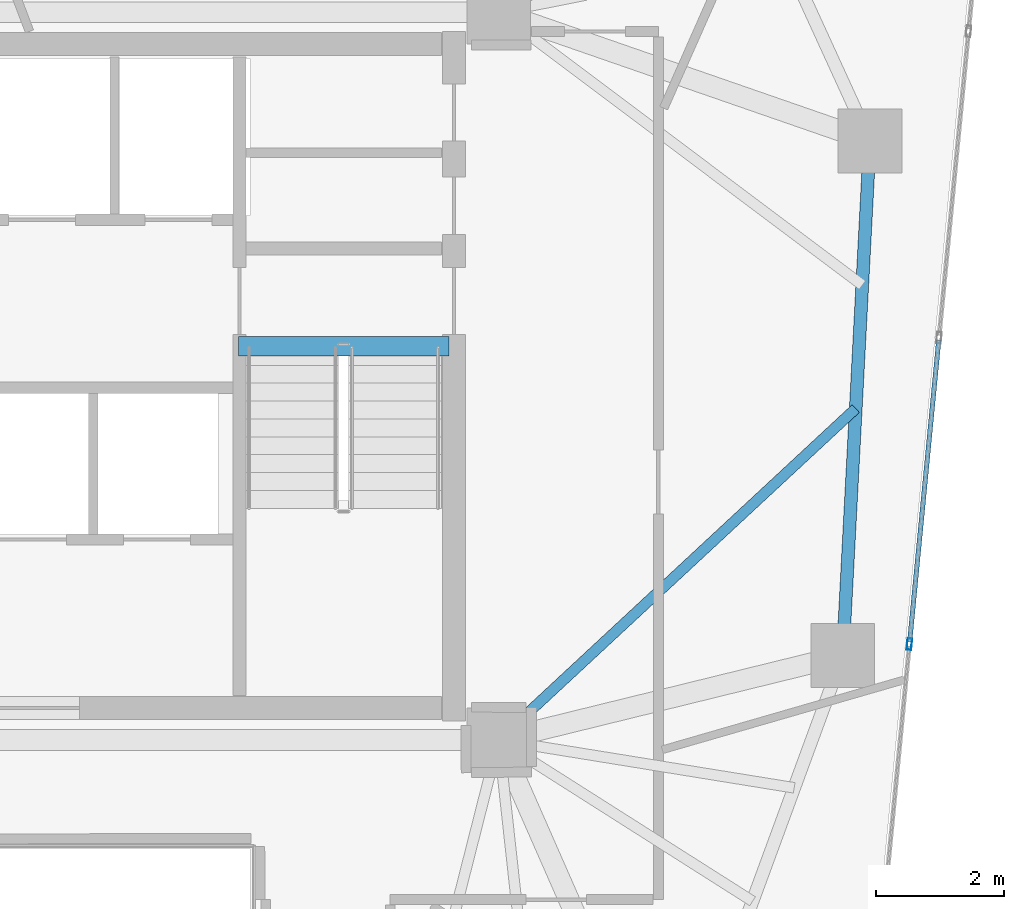
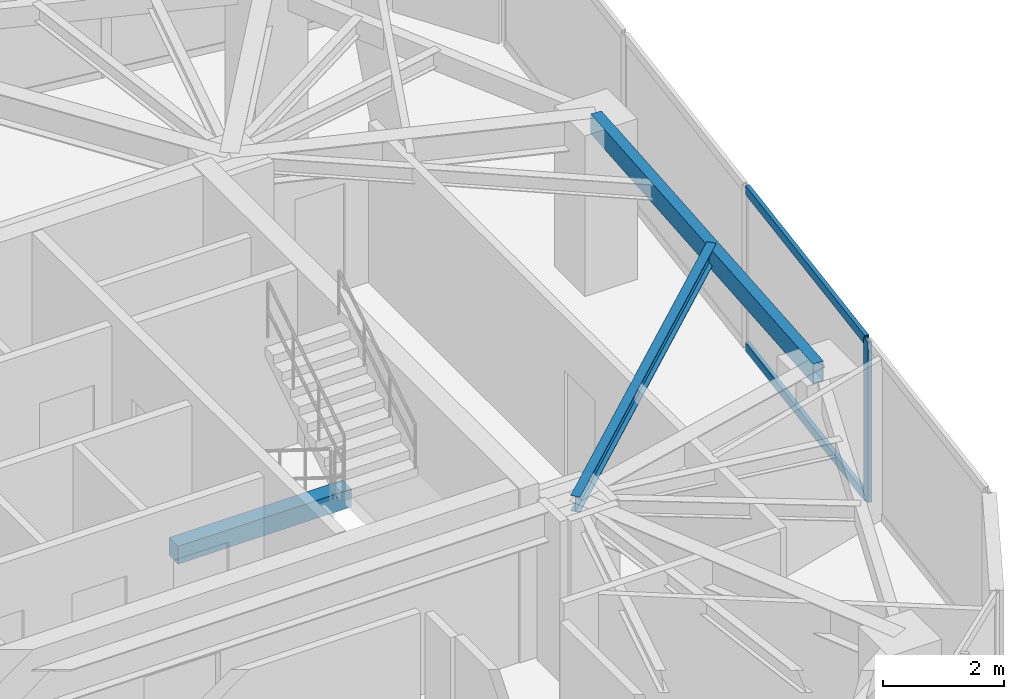
# One storey, part 10 of 21: 3 beams, 3 members, 1 element without a shape of its own.
"""IFC4 building model written with IfcOpenShell, lengths in metres."""

import ifcopenshell
import ifcopenshell.guid

model = None  # the IFC model being written
_history = None  # IfcOwnerHistory: only IFC2X3 demands one
_inside = {}  # id of a spatial element -> (the spatial element, [elements in it])
_under = {}  # id of a project, library or spatial element -> (it, [spatial elements below it])
_declared = {}  # id of a project -> (the project, [libraries it declares])
_typed = {}  # id of a type object -> (the type object, [elements of that type])
_made_of = {}  # id of a material, layer set ... -> (it, [elements and type objects made of it])


def new_model(schema):
    """Start an empty IFC model of exactly this schema.

    Asked for "IFC4X3", IfcOpenShell would pick the latest addendum, in which some entities
    have other attributes; the version numbers below select the first issue.
    IFC2X3 requires an IfcOwnerHistory on every rooted entity: one is made here for all.
    """
    global model, _history
    if schema == "IFC4X3":
        model = ifcopenshell.file(schema_version=(4, 3, 0, 0))
    else:
        model = ifcopenshell.file(schema=schema)
    _inside.clear()
    _under.clear()
    _declared.clear()
    _typed.clear()
    _made_of.clear()
    _history = None
    if model.schema == "IFC2X3":
        org = make("IfcOrganization", Name="unknown")
        user = make(
            "IfcPersonAndOrganization",
            ThePerson=make("IfcPerson", FamilyName="unknown"),
            TheOrganization=org,
        )
        app = make(
            "IfcApplication",
            ApplicationDeveloper=org,
            Version="unknown",
            ApplicationFullName="unknown",
            ApplicationIdentifier="unknown",
        )
        _history = make(
            "IfcOwnerHistory",
            OwningUser=user,
            OwningApplication=app,
            ChangeAction="ADDED",
            CreationDate=0,
        )
    return model


def make(cls, **values):
    """One entity of the class cls with the attributes given. An attribute that is None is left unset."""
    return model.create_entity(
        cls, **{name: value for name, value in values.items() if value is not None}
    )


def rooted(cls, **values):
    """An entity with a GlobalId (a new one), such as an element, a storey or a relation."""
    return make(cls, GlobalId=ifcopenshell.guid.new(), OwnerHistory=_history, **values)


def si_unit(unit_type, name, prefix=None):
    """IfcSIUnit, for example si_unit("LENGTHUNIT", "METRE", prefix="MILLI")."""
    return make("IfcSIUnit", UnitType=unit_type, Prefix=prefix, Name=name)


def assignment(units):
    """IfcUnitAssignment: the units of a project."""
    return None if units is None else make("IfcUnitAssignment", Units=units)


def point(xyz):
    """IfcCartesianPoint."""
    return None if xyz is None else make("IfcCartesianPoint", Coordinates=xyz)


def direction(xyz):
    """IfcDirection."""
    return None if xyz is None else make("IfcDirection", DirectionRatios=xyz)


def frame(location, z_axis=None, x_axis=None):
    """IfcAxis2Placement3D, a coordinate frame: its origin and axes. An axis left out is left unset."""
    return make(
        "IfcAxis2Placement3D",
        Location=point(location),
        Axis=direction(z_axis),
        RefDirection=direction(x_axis),
    )


def frame_2d(location, x_axis=None):
    """IfcAxis2Placement2D, a coordinate frame in the plane: its origin and x axis."""
    return make(
        "IfcAxis2Placement2D", Location=point(location), RefDirection=direction(x_axis)
    )


def origin():
    """The frame at (0, 0, 0) with its axes left unset."""
    return frame((0.0, 0.0, 0.0))


def origin_2d():
    """The frame at (0, 0) in the plane with its x axis left unset."""
    return frame_2d((0.0, 0.0))


def place(relative_to, where):
    """IfcLocalPlacement: puts the frame where relative to a parent placement (None: the world)."""
    return make(
        "IfcLocalPlacement", PlacementRelTo=relative_to, RelativePlacement=where
    )


def context(
    kind, dimensions, precision=None, world=None, true_north=None, identifier=None
):
    """IfcGeometricRepresentationContext, for example the 3D "Model" context."""
    return make(
        "IfcGeometricRepresentationContext",
        ContextIdentifier=identifier,
        ContextType=kind,
        CoordinateSpaceDimension=dimensions,
        Precision=precision,
        WorldCoordinateSystem=world,
        TrueNorth=true_north,
    )


def subcontext(parent, identifier, kind, view, scale=None):
    """IfcGeometricRepresentationSubContext, for example "Body" below "Model"."""
    return make(
        "IfcGeometricRepresentationSubContext",
        ContextIdentifier=identifier,
        ContextType=kind,
        ParentContext=parent,
        TargetScale=scale,
        TargetView=view,
    )


def project(units=None, contexts=None):
    """IfcProject with its units and contexts."""
    return rooted(
        "IfcProject",
        Name="project",
        RepresentationContexts=contexts,
        UnitsInContext=assignment(units),
    )


def spatial(cls, under=None, at=None, **own):
    """A site, building, storey or space (cls), placed at a placement, below another one or the project."""
    s = rooted(cls, ObjectPlacement=at, **own)
    if under is not None:
        _under.setdefault(under.id(), (under, []))[1].append(s)
    return s


def profile(cls, at=None, kind="AREA", **sizes):
    """A parametric profile (cls). Its sizes go by their IFC names, for example OverallWidth=200.0."""
    return make(cls, ProfileType=kind, Position=at, **sizes)


def rectangle(**sizes):
    """IfcRectangleProfileDef."""
    return profile("IfcRectangleProfileDef", **sizes)


def hollow_rectangle(**sizes):
    """IfcRectangleHollowProfileDef."""
    return profile("IfcRectangleHollowProfileDef", **sizes)


def i_section(**sizes):
    """IfcIShapeProfileDef."""
    return profile("IfcIShapeProfileDef", **sizes)


def extrude(swept, where, along, depth):
    """IfcExtrudedAreaSolid: the profile swept, set in the frame where, extruded along a direction by depth."""
    return make(
        "IfcExtrudedAreaSolid",
        SweptArea=swept,
        Position=where,
        ExtrudedDirection=direction(along),
        Depth=depth,
    )


def shape(context_of_items, identifier, shape_type, items):
    """IfcShapeRepresentation: the items that make up one representation, for example the "Body"."""
    return make(
        "IfcShapeRepresentation",
        ContextOfItems=context_of_items,
        RepresentationIdentifier=identifier,
        RepresentationType=shape_type,
        Items=items,
    )


def source(mapping_origin, context_of_items, identifier, shape_type, items):
    """IfcRepresentationMap: a shape defined once, which mapped items show again and again."""
    return make(
        "IfcRepresentationMap",
        MappingOrigin=mapping_origin,
        MappedRepresentation=shape(context_of_items, identifier, shape_type, items),
    )


def transform(
    local_origin,
    x_axis=None,
    y_axis=None,
    z_axis=None,
    scale=None,
    scale2=None,
    scale3=None,
    uniform=True,
):
    """IfcCartesianTransformationOperator3D, or its non-uniform kind. x_axis, y_axis, z_axis: its Axis1, 2, 3."""
    if uniform:
        return make(
            "IfcCartesianTransformationOperator3D",
            Axis1=direction(x_axis),
            Axis2=direction(y_axis),
            LocalOrigin=point(local_origin),
            Scale=scale,
            Axis3=direction(z_axis),
        )
    return make(
        "IfcCartesianTransformationOperator3DnonUniform",
        Axis1=direction(x_axis),
        Axis2=direction(y_axis),
        LocalOrigin=point(local_origin),
        Scale=scale,
        Axis3=direction(z_axis),
        Scale2=scale2,
        Scale3=scale3,
    )


def mapped(mapping_source, mapping_target):
    """IfcMappedItem: shows the shape of a source again, moved by a transform."""
    return make(
        "IfcMappedItem", MappingSource=mapping_source, MappingTarget=mapping_target
    )


def material(Name=None, Category=None):
    """IfcMaterial."""
    return make("IfcMaterial", Name=Name, Category=Category)


def layer(
    of_material, thickness, ventilated=None, Name=None, Category=None, Priority=None
):
    """IfcMaterialLayer: one layer of a wall or slab, of a material (None: an air gap)."""
    return make(
        "IfcMaterialLayer",
        Material=of_material,
        LayerThickness=thickness,
        IsVentilated=ventilated,
        Name=Name,
        Category=Category,
        Priority=Priority,
    )


def layer_set(layers, Name=None):
    """IfcMaterialLayerSet."""
    return make("IfcMaterialLayerSet", MaterialLayers=layers, LayerSetName=Name)


def material_profile(
    of_material, cross_section, Name=None, Category=None, Priority=None
):
    """IfcMaterialProfile: a cross section and its material."""
    return make(
        "IfcMaterialProfile",
        Name=Name,
        Material=of_material,
        Profile=cross_section,
        Priority=Priority,
        Category=Category,
    )


def profile_set(profiles, Name=None, composite=None):
    """IfcMaterialProfileSet."""
    return make(
        "IfcMaterialProfileSet",
        Name=Name,
        MaterialProfiles=profiles,
        CompositeProfile=composite,
    )


def made_of(thing, what):
    """Note that an element or type object is made of a material, layer set ...; save() writes the relation."""
    if what is not None:
        _made_of.setdefault(what.id(), (what, []))[1].append(thing)
    return thing


def type_object(cls, material=None, **own):
    """A type object (cls), such as IfcWallType, which elements share."""
    return made_of(rooted(cls, **own), material)


def type_shapes(of_type, sources):
    """Give a type object the sources (RepresentationMaps) that its elements show as mapped items."""
    of_type.RepresentationMaps = sources


def element(
    cls,
    number,
    at=None,
    inside=None,
    cuts=None,
    type_object=None,
    material=None,
    context=None,
    identifier="Body",
    shape_type=None,
    held_by="IfcProductDefinitionShape",
    body=None,
    shapes=None,
    **own,
):
    """One element of the class cls, such as IfcWall. Its Tag is "e" and its number.

    at: its placement. inside: the storey or other place that contains it. cuts: it is an
    opening in that element (IfcRelVoidsElement). A single representation is given by context,
    identifier, shape_type and body (its items); several are given by shapes. held_by: the class
    of the entity that holds the representations. save() writes the other relations.
    """
    e = rooted(cls, Tag="e%d" % number, ObjectPlacement=at, **own)
    if body is not None:
        shapes = [shape(context, identifier, shape_type, body)]
    if shapes is not None:
        e.Representation = make(held_by, Representations=shapes)
    if inside is not None:
        _inside.setdefault(inside.id(), (inside, []))[1].append(e)
    if cuts is not None:
        rooted(
            "IfcRelVoidsElement", RelatingBuildingElement=cuts, RelatedOpeningElement=e
        )
    if type_object is not None:
        _typed.setdefault(type_object.id(), (type_object, []))[1].append(e)
    return made_of(e, material)


def aggregate(whole, parts):
    """IfcRelAggregates: a whole, such as a stair, and the parts it consists of."""
    return rooted("IfcRelAggregates", RelatingObject=whole, RelatedObjects=parts)


def save(model, path):
    """Write the relations noted so far, then the file.

    IfcRelAggregates (storeys below a building ...), IfcRelContainedInSpatialStructure (elements
    in a storey), IfcRelDefinesByType, IfcRelAssociatesMaterial and IfcRelDeclares: one each for
    every whole, place, type object, material and project.
    """
    for whole, parts in _under.values():
        aggregate(whole, parts)
    for where, things in _inside.values():
        rooted(
            "IfcRelContainedInSpatialStructure",
            RelatedElements=things,
            RelatingStructure=where,
        )
    for kind, things in _typed.values():
        rooted("IfcRelDefinesByType", RelatedObjects=things, RelatingType=kind)
    for what, things in _made_of.values():
        rooted("IfcRelAssociatesMaterial", RelatedObjects=things, RelatingMaterial=what)
    for by, libraries in _declared.values():
        rooted("IfcRelDeclares", RelatingContext=by, RelatedDefinitions=libraries)
    model.write(path)


model = new_model("IFC4")

# Units and contexts
model_context = context("Model", 3, precision=1e-05, world=origin(), true_north=direction((0.0, 1.0)))
body_context = subcontext(model_context, "Body", "Model", "MODEL_VIEW")
ifc_project = project(units=[si_unit("LENGTHUNIT", "METRE"), si_unit("AREAUNIT", "SQUARE_METRE"), si_unit("VOLUMEUNIT", "CUBIC_METRE"), si_unit("PLANEANGLEUNIT", "RADIAN"), si_unit("MASSUNIT", "GRAM", prefix="KILO")], contexts=[model_context])

# Site, building, storey
site_placement = place(None, origin())
site = spatial("IfcSite", under=ifc_project, at=site_placement, CompositionType="ELEMENT")
building_placement = place(site_placement, origin())
building = spatial("IfcBuilding", under=site, at=building_placement, Name="Talar Marvaseh", CompositionType="ELEMENT")
storey_placement = place(building_placement, frame((0.0, 0.0, 225.699951171875)))
storey = spatial("IfcBuildingStorey", under=building, at=storey_placement, Name="L59", CompositionType="ELEMENT", Elevation=225.699951171875)

# Beams
ifc_material_1 = material(Name="Concrete C40/50", Category="concrete")
ifc_material_profile_1 = material_profile(ifc_material_1, rectangle(XDim=0.300048828125, YDim=0.360107421875, at=origin_2d()), Name="RC300x360")
ifc_profile_set_1 = profile_set([ifc_material_profile_1], Name="Concrete C40/50")
beam_type_1 = type_object("IfcBeamType", Name="Concrete Stair Landing Trimmer Beam RC300x360", PredefinedType="SPANDREL", material=ifc_profile_set_1)
beam_1_placement = place(storey_placement, frame((29.219970703125, 31.669921875, -0.179931640625), z_axis=(1.0, 0.0, 0.0), x_axis=(0.0, 1.0, 0.0)))
element("IfcBeam", 1, at=beam_1_placement, inside=storey, type_object=beam_type_1, Name="L59 ST-2 Stair Nosing Trimmer Beam", PredefinedType="SPANDREL", context=body_context, shape_type="SweptSolid", body=[
    extrude(rectangle(XDim=0.300048828125, YDim=0.360107421875, at=origin_2d()), origin(), (0.0, 0.0, 1.0), 3.300048828125),
])
ifc_material_2 = material(Name="Steel S355", Category="steel")
ifc_material_profile_2 = material_profile(ifc_material_2, hollow_rectangle(XDim=0.199951171875, YDim=0.39990234375, WallThickness=0.013916015625, at=origin_2d()), Name="RHS400x200x14")
ifc_profile_set_2 = profile_set([ifc_material_profile_2], Name="Steel S355")
beam_type_2 = type_object("IfcBeamType", Name="Zone 3 Perimeter Spandrel Beam RHS400x200x14", PredefinedType="SPANDREL", material=ifc_profile_set_2)
beam_2_placement = place(storey_placement, frame((39.113037109375, 34.884033203125, 3.030029296875), z_axis=(-0.052541369293, -0.998618748328, 0.0), x_axis=(0.998618748328, -0.052541369293, 0.0)))
element("IfcBeam", 2, at=beam_2_placement, inside=storey, type_object=beam_type_2, Name="L59 Zone 3 Perimeter Spandrel Beam RHS400x200x14", PredefinedType="SPANDREL", context=body_context, shape_type="SweptSolid", body=[
    extrude(hollow_rectangle(XDim=0.199951171875, YDim=0.39990234375, WallThickness=0.013916015625, at=origin_2d()), origin(), (0.0, 0.0, 1.0), 8.0712890625),
])
ifc_material_profile_3 = material_profile(ifc_material_2, i_section(OverallWidth=0.166015625, OverallDepth=0.31298828125, WebThickness=0.006591796875, FlangeThickness=0.01123046875, at=origin_2d()), Name="W310x45")
ifc_profile_set_3 = profile_set([ifc_material_profile_3], Name="Steel S355")
beam_type_3 = type_object("IfcBeamType", Name="Zone 3 Secondary Floor Joist W310x45", PredefinedType="JOIST", material=ifc_profile_set_3)
beam_3_placement = place(storey_placement, frame((38.892578125, 30.69287109375, 3.073486328125), z_axis=(-0.73280602476, -0.680437601897, 0.0), x_axis=(0.680437601897, -0.73280602476, 0.0)))
element("IfcBeam", 3, at=beam_3_placement, inside=storey, type_object=beam_type_3, Name="L59 Zone 3 Secondary Floor Joist W310x45", PredefinedType="JOIST", context=body_context, shape_type="SweptSolid", body=[
    extrude(i_section(OverallWidth=0.166015625, OverallDepth=0.31298828125, WebThickness=0.006591796875, FlangeThickness=0.01123046875, at=origin_2d()), origin(), (0.0, 0.0, 1.0), 7.631591796875),
])

# Curtain wall, members
ifc_material_3 = material(Name="Architectural Aluminium", Category="aluminium")
ifc_layer = layer(ifc_material_3, 0.18994140625)
ifc_layer_set = layer_set([ifc_layer], Name="Architectural Aluminium")
curtain_wall_type = type_object("IfcCurtainWallType", Name="Unitised Solar Atelier Curtain Wall Z3", PredefinedType="NOTDEFINED", material=ifc_layer_set)
curtain_wall_placement = place(storey_placement, origin())
curtain_wall = element("IfcCurtainWall", 4, at=curtain_wall_placement, inside=storey, type_object=curtain_wall_type, Name="L59 Unitised Solar Atelier Curtain Wall Z3", PredefinedType="NOTDEFINED")
ifc_material_profile_4 = material_profile(ifc_material_3, hollow_rectangle(XDim=0.074951171875, YDim=0.179931640625, WallThickness=0.0048828125, at=origin_2d()), Name="RHS180x75x5")
ifc_profile_set_4 = profile_set([ifc_material_profile_4], Name="Architectural Aluminium")
member_type_1 = type_object("IfcMemberType", Name="Unitised Curtain Wall Standard Mullion RHS180x75x5", PredefinedType="MULLION", material=ifc_profile_set_4)
shared_shape_1 = source(origin(), body_context, "Body", "SweptSolid", [
    extrude(hollow_rectangle(XDim=0.074951171875, YDim=0.179931640625, WallThickness=0.0048828125, at=origin_2d()), origin(), (0.0, 0.0, 1.0), 3.22998046875),
])
type_shapes(member_type_1, [shared_shape_1])
member_1_placement = place(storey_placement, frame((39.73291015625, 27.00390625, 0.0), z_axis=(0.0, 0.0, 1.0), x_axis=(0.995381660069, -0.095996618681, 0.0)))
member_1 = element("IfcMember", 5, at=member_1_placement, type_object=member_type_1, Name="CW-Z3 mullion 4", PredefinedType="MULLION", context=body_context, shape_type="MappedRepresentation", body=[
    mapped(shared_shape_1, transform((0.0, 0.0, 0.0), x_axis=(1.0, 0.0, 0.0), y_axis=(0.0, 1.0, 0.0), z_axis=(0.0, 0.0, 1.0), scale=1.0)),
])
ifc_material_profile_5 = material_profile(ifc_material_3, hollow_rectangle(XDim=0.074951171875, YDim=0.179931640625, WallThickness=0.0048828125, at=origin_2d()), Name="RHS180x75x5")
ifc_profile_set_5 = profile_set([ifc_material_profile_5], Name="Architectural Aluminium")
member_type_2 = type_object("IfcMemberType", Name="Unitised Curtain Wall Transom RHS180x75x5", PredefinedType="USERDEFINED", material=ifc_profile_set_5)
shared_shape_2 = source(origin(), body_context, "Body", "SweptSolid", [
    extrude(hollow_rectangle(XDim=0.074951171875, YDim=0.179931640625, WallThickness=0.0048828125, at=origin_2d()), origin(), (0.0, 0.0, 1.0), 4.7470703125),
])
type_shapes(member_type_2, [shared_shape_2])
member_2_placement = place(storey_placement, frame((40.1923828125, 31.766357421875, 0.03759765625), z_axis=(-0.096020116148, -0.995379393646, 0.0), x_axis=(0.995379393646, -0.096020116148, 0.0)))
member_2 = element("IfcMember", 6, at=member_2_placement, type_object=member_type_2, Name="CW-Z3 transom 3.1", ObjectType="TRANSOM", PredefinedType="USERDEFINED", context=body_context, shape_type="MappedRepresentation", body=[
    mapped(shared_shape_2, transform((0.0, 0.0, 0.0), x_axis=(1.0, 0.0, 0.0), y_axis=(0.0, 1.0, 0.0), z_axis=(0.0, 0.0, 1.0), scale=1.0)),
])
member_3_placement = place(storey_placement, frame((40.1923828125, 31.766357421875, 3.192626953125), z_axis=(-0.096020116148, -0.995379393646, 0.0), x_axis=(0.995379393646, -0.096020116148, 0.0)))
member_3 = element("IfcMember", 7, at=member_3_placement, type_object=member_type_2, Name="CW-Z3 transom 3.2", ObjectType="TRANSOM", PredefinedType="USERDEFINED", context=body_context, shape_type="MappedRepresentation", body=[
    mapped(shared_shape_2, transform((0.0, 0.0, 0.0), x_axis=(1.0, 0.0, 0.0), y_axis=(0.0, 1.0, 0.0), z_axis=(0.0, 0.0, 1.0), scale=1.0)),
])
aggregate(curtain_wall, [member_1, member_2, member_3])

save(model, "model.ifc")
